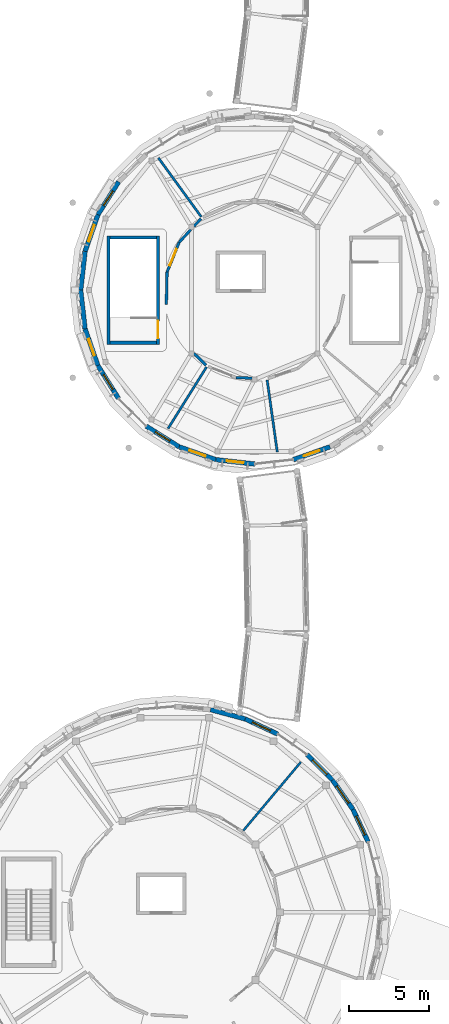
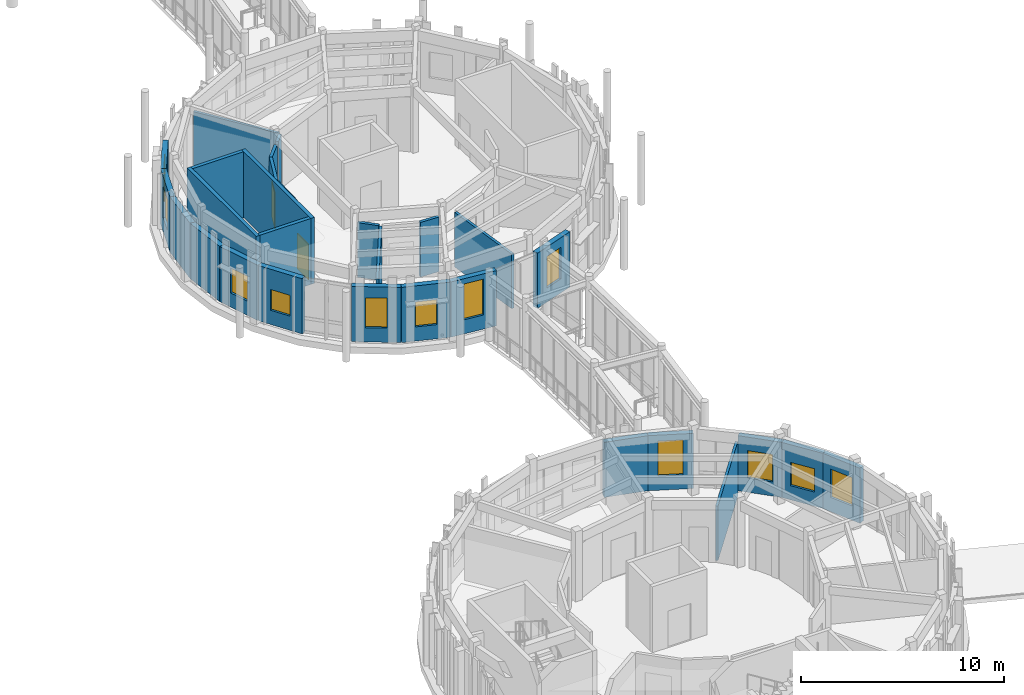
# One storey, part 45 of 80: 29 walls, 12 windows, 2 doors, 14 openings.
"""IFC4 building model written with IfcOpenShell, lengths in metres."""

import ifcopenshell
import ifcopenshell.guid

model = None  # the IFC model being written
_history = None  # IfcOwnerHistory: only IFC2X3 demands one
_inside = {}  # id of a spatial element -> (the spatial element, [elements in it])
_under = {}  # id of a project, library or spatial element -> (it, [spatial elements below it])
_declared = {}  # id of a project -> (the project, [libraries it declares])
_typed = {}  # id of a type object -> (the type object, [elements of that type])
_made_of = {}  # id of a material, layer set ... -> (it, [elements and type objects made of it])


def new_model(schema):
    """Start an empty IFC model of exactly this schema.

    Asked for "IFC4X3", IfcOpenShell would pick the latest addendum, in which some entities
    have other attributes; the version numbers below select the first issue.
    IFC2X3 requires an IfcOwnerHistory on every rooted entity: one is made here for all.
    """
    global model, _history
    if schema == "IFC4X3":
        model = ifcopenshell.file(schema_version=(4, 3, 0, 0))
    else:
        model = ifcopenshell.file(schema=schema)
    _inside.clear()
    _under.clear()
    _declared.clear()
    _typed.clear()
    _made_of.clear()
    _history = None
    if model.schema == "IFC2X3":
        org = make("IfcOrganization", Name="unknown")
        user = make(
            "IfcPersonAndOrganization",
            ThePerson=make("IfcPerson", FamilyName="unknown"),
            TheOrganization=org,
        )
        app = make(
            "IfcApplication",
            ApplicationDeveloper=org,
            Version="unknown",
            ApplicationFullName="unknown",
            ApplicationIdentifier="unknown",
        )
        _history = make(
            "IfcOwnerHistory",
            OwningUser=user,
            OwningApplication=app,
            ChangeAction="ADDED",
            CreationDate=0,
        )
    return model


def make(cls, **values):
    """One entity of the class cls with the attributes given. An attribute that is None is left unset."""
    return model.create_entity(
        cls, **{name: value for name, value in values.items() if value is not None}
    )


def rooted(cls, **values):
    """An entity with a GlobalId (a new one), such as an element, a storey or a relation."""
    return make(cls, GlobalId=ifcopenshell.guid.new(), OwnerHistory=_history, **values)


def si_unit(unit_type, name, prefix=None):
    """IfcSIUnit, for example si_unit("LENGTHUNIT", "METRE", prefix="MILLI")."""
    return make("IfcSIUnit", UnitType=unit_type, Prefix=prefix, Name=name)


def assignment(units):
    """IfcUnitAssignment: the units of a project."""
    return None if units is None else make("IfcUnitAssignment", Units=units)


def point(xyz):
    """IfcCartesianPoint."""
    return None if xyz is None else make("IfcCartesianPoint", Coordinates=xyz)


def direction(xyz):
    """IfcDirection."""
    return None if xyz is None else make("IfcDirection", DirectionRatios=xyz)


def frame(location, z_axis=None, x_axis=None):
    """IfcAxis2Placement3D, a coordinate frame: its origin and axes. An axis left out is left unset."""
    return make(
        "IfcAxis2Placement3D",
        Location=point(location),
        Axis=direction(z_axis),
        RefDirection=direction(x_axis),
    )


def frame_2d(location, x_axis=None):
    """IfcAxis2Placement2D, a coordinate frame in the plane: its origin and x axis."""
    return make(
        "IfcAxis2Placement2D", Location=point(location), RefDirection=direction(x_axis)
    )


def origin():
    """The frame at (0, 0, 0) with its axes left unset."""
    return frame((0.0, 0.0, 0.0))


def place(relative_to, where):
    """IfcLocalPlacement: puts the frame where relative to a parent placement (None: the world)."""
    return make(
        "IfcLocalPlacement", PlacementRelTo=relative_to, RelativePlacement=where
    )


def context(
    kind, dimensions, precision=None, world=None, true_north=None, identifier=None
):
    """IfcGeometricRepresentationContext, for example the 3D "Model" context."""
    return make(
        "IfcGeometricRepresentationContext",
        ContextIdentifier=identifier,
        ContextType=kind,
        CoordinateSpaceDimension=dimensions,
        Precision=precision,
        WorldCoordinateSystem=world,
        TrueNorth=true_north,
    )


def subcontext(parent, identifier, kind, view, scale=None):
    """IfcGeometricRepresentationSubContext, for example "Body" below "Model"."""
    return make(
        "IfcGeometricRepresentationSubContext",
        ContextIdentifier=identifier,
        ContextType=kind,
        ParentContext=parent,
        TargetScale=scale,
        TargetView=view,
    )


def project(units=None, contexts=None):
    """IfcProject with its units and contexts."""
    return rooted(
        "IfcProject",
        Name="project",
        RepresentationContexts=contexts,
        UnitsInContext=assignment(units),
    )


def spatial(cls, under=None, at=None, **own):
    """A site, building, storey or space (cls), placed at a placement, below another one or the project."""
    s = rooted(cls, ObjectPlacement=at, **own)
    if under is not None:
        _under.setdefault(under.id(), (under, []))[1].append(s)
    return s


def profile(cls, at=None, kind="AREA", **sizes):
    """A parametric profile (cls). Its sizes go by their IFC names, for example OverallWidth=200.0."""
    return make(cls, ProfileType=kind, Position=at, **sizes)


def rectangle(**sizes):
    """IfcRectangleProfileDef."""
    return profile("IfcRectangleProfileDef", **sizes)


def extrude(swept, where, along, depth):
    """IfcExtrudedAreaSolid: the profile swept, set in the frame where, extruded along a direction by depth."""
    return make(
        "IfcExtrudedAreaSolid",
        SweptArea=swept,
        Position=where,
        ExtrudedDirection=direction(along),
        Depth=depth,
    )


def shape(context_of_items, identifier, shape_type, items):
    """IfcShapeRepresentation: the items that make up one representation, for example the "Body"."""
    return make(
        "IfcShapeRepresentation",
        ContextOfItems=context_of_items,
        RepresentationIdentifier=identifier,
        RepresentationType=shape_type,
        Items=items,
    )


def material(Name=None, Category=None):
    """IfcMaterial."""
    return make("IfcMaterial", Name=Name, Category=Category)


def layer(
    of_material, thickness, ventilated=None, Name=None, Category=None, Priority=None
):
    """IfcMaterialLayer: one layer of a wall or slab, of a material (None: an air gap)."""
    return make(
        "IfcMaterialLayer",
        Material=of_material,
        LayerThickness=thickness,
        IsVentilated=ventilated,
        Name=Name,
        Category=Category,
        Priority=Priority,
    )


def layer_set(layers, Name=None):
    """IfcMaterialLayerSet."""
    return make("IfcMaterialLayerSet", MaterialLayers=layers, LayerSetName=Name)


def made_of(thing, what):
    """Note that an element or type object is made of a material, layer set ...; save() writes the relation."""
    if what is not None:
        _made_of.setdefault(what.id(), (what, []))[1].append(thing)
    return thing


def type_object(cls, material=None, **own):
    """A type object (cls), such as IfcWallType, which elements share."""
    return made_of(rooted(cls, **own), material)


def element(
    cls,
    number,
    at=None,
    inside=None,
    cuts=None,
    type_object=None,
    material=None,
    context=None,
    identifier="Body",
    shape_type=None,
    held_by="IfcProductDefinitionShape",
    body=None,
    shapes=None,
    **own,
):
    """One element of the class cls, such as IfcWall. Its Tag is "e" and its number.

    at: its placement. inside: the storey or other place that contains it. cuts: it is an
    opening in that element (IfcRelVoidsElement). A single representation is given by context,
    identifier, shape_type and body (its items); several are given by shapes. held_by: the class
    of the entity that holds the representations. save() writes the other relations.
    """
    e = rooted(cls, Tag="e%d" % number, ObjectPlacement=at, **own)
    if body is not None:
        shapes = [shape(context, identifier, shape_type, body)]
    if shapes is not None:
        e.Representation = make(held_by, Representations=shapes)
    if inside is not None:
        _inside.setdefault(inside.id(), (inside, []))[1].append(e)
    if cuts is not None:
        rooted(
            "IfcRelVoidsElement", RelatingBuildingElement=cuts, RelatedOpeningElement=e
        )
    if type_object is not None:
        _typed.setdefault(type_object.id(), (type_object, []))[1].append(e)
    return made_of(e, material)


def fill(opening, filler):
    """IfcRelFillsElement: the door or window that sits in an opening."""
    return rooted(
        "IfcRelFillsElement",
        RelatingOpeningElement=opening,
        RelatedBuildingElement=filler,
    )


def aggregate(whole, parts):
    """IfcRelAggregates: a whole, such as a stair, and the parts it consists of."""
    return rooted("IfcRelAggregates", RelatingObject=whole, RelatedObjects=parts)


def save(model, path):
    """Write the relations noted so far, then the file.

    IfcRelAggregates (storeys below a building ...), IfcRelContainedInSpatialStructure (elements
    in a storey), IfcRelDefinesByType, IfcRelAssociatesMaterial and IfcRelDeclares: one each for
    every whole, place, type object, material and project.
    """
    for whole, parts in _under.values():
        aggregate(whole, parts)
    for where, things in _inside.values():
        rooted(
            "IfcRelContainedInSpatialStructure",
            RelatedElements=things,
            RelatingStructure=where,
        )
    for kind, things in _typed.values():
        rooted("IfcRelDefinesByType", RelatedObjects=things, RelatingType=kind)
    for what, things in _made_of.values():
        rooted("IfcRelAssociatesMaterial", RelatedObjects=things, RelatingMaterial=what)
    for by, libraries in _declared.values():
        rooted("IfcRelDeclares", RelatingContext=by, RelatedDefinitions=libraries)
    model.write(path)


model = new_model("IFC4")

# Units and contexts
model_context = context("Model", 3, precision=1e-05, world=origin(), true_north=direction((0.0, 1.0)))
body_context = subcontext(model_context, "Body", "Model", "MODEL_VIEW")
ifc_project = project(units=[si_unit("LENGTHUNIT", "METRE"), si_unit("AREAUNIT", "SQUARE_METRE"), si_unit("VOLUMEUNIT", "CUBIC_METRE"), si_unit("PLANEANGLEUNIT", "RADIAN"), si_unit("MASSUNIT", "GRAM", prefix="KILO")], contexts=[model_context])

# Site, building, storey
site_placement = place(None, origin())
site = spatial("IfcSite", under=ifc_project, at=site_placement, CompositionType="ELEMENT")
building_placement = place(site_placement, origin())
building = spatial("IfcBuilding", under=site, at=building_placement, Name="Aldenvaro Health Centre", CompositionType="ELEMENT")
storey_placement = place(building_placement, frame((0.0, 0.0, 4.550048828125)))
storey = spatial("IfcBuildingStorey", under=building, at=storey_placement, Name="L01", CompositionType="ELEMENT", Elevation=4.550048828125)

# Walls
ifc_material_1 = material(Name="Gypsum Stud Acoustic Assembly")
ifc_layer_1 = layer(ifc_material_1, 0.14501953125, Name="Gypsum Stud Acoustic Assembly")
ifc_layer_set_1 = layer_set([ifc_layer_1], Name="Gypsum Stud Acoustic Assembly")
wall_type_1 = type_object("IfcWallType", Name="WL-CLN-145", PredefinedType="PARTITIONING", material=ifc_layer_set_1)
wall_1_placement = place(storey_placement, frame((20.159912109375, 62.097900390625, 0.0), z_axis=(0.0, 0.0, 1.0), x_axis=(-0.587873334136, 0.808952991843, 0.0)))
element("IfcWall", 1, at=wall_1_placement, inside=storey, type_object=wall_type_1, Name="D3 L01 clinical partition 2.1", PredefinedType="PARTITIONING", context=body_context, shape_type="SweptSolid", body=[
    extrude(rectangle(XDim=4.573974609375, YDim=0.14501953125, at=frame_2d((2.287109375, 0.0))), origin(), (0.0, 0.0, 1.0), 3.279052734375),
])
wall_2_placement = place(storey_placement, frame((20.488037109375, 52.680908203125, 0.0), z_axis=(0.0, 0.0, 1.0), x_axis=(-0.529892832375, -0.848064612042, 0.0)))
element("IfcWall", 2, at=wall_2_placement, inside=storey, type_object=wall_type_1, Name="D3 L01 clinical partition 4.1", PredefinedType="PARTITIONING", context=body_context, shape_type="SweptSolid", body=[
    extrude(rectangle(XDim=4.55029296875, YDim=0.14501953125, at=frame_2d((2.275146484375, 0.0))), origin(), (0.0, 0.0, 1.0), 3.279052734375),
])
wall_3_placement = place(storey_placement, frame((24.291015625, 51.8720703125, 0.0), z_axis=(0.0, 0.0, 1.0), x_axis=(0.139214585132, -0.990262237635, 0.0)))
element("IfcWall", 3, at=wall_3_placement, inside=storey, type_object=wall_type_1, Name="D3 L01 clinical partition 5.1", PredefinedType="PARTITIONING", context=body_context, shape_type="SweptSolid", body=[
    extrude(rectangle(XDim=4.554443359375, YDim=0.14501953125, at=frame_2d((2.27734375, 0.0))), origin(), (0.0, 0.0, 1.0), 3.279052734375),
])
ifc_layer_2 = layer(ifc_material_1, 0.1650390625, Name="Gypsum Stud Acoustic Assembly")
ifc_layer_set_2 = layer_set([ifc_layer_2], Name="Gypsum Stud Acoustic Assembly")
wall_type_2 = type_object("IfcWallType", Name="WL-COR-165", PredefinedType="PARTITIONING", material=ifc_layer_set_2)
wall_4_placement = place(storey_placement, frame((20.14208984375, 61.98095703125, 0.0), z_axis=(0.0, 0.0, 1.0), x_axis=(-0.679935917373, -0.73327153788, 0.0)))
element("IfcWall", 4, at=wall_4_placement, inside=storey, type_object=wall_type_2, Name="D3 L01 corridor wall 02.1", PredefinedType="PARTITIONING", context=body_context, shape_type="SweptSolid", body=[
    extrude(rectangle(XDim=0.654541015625, YDim=0.1650390625, at=frame_2d((0.3271484375, 0.0))), origin(), (0.0, 0.0, 1.0), 3.279052734375),
])
wall_5_placement = place(storey_placement, frame((19.511962890625, 61.300048828125, 0.0), z_axis=(0.0, 0.0, 1.0), x_axis=(-0.679051024612, -0.734091074713, 0.0)))
element("IfcWall", 5, at=wall_5_placement, inside=storey, type_object=wall_type_2, Name="D3 L01 corridor wall 02.2", PredefinedType="PARTITIONING", context=body_context, shape_type="SweptSolid", body=[
    extrude(rectangle(XDim=1.091064453125, YDim=0.1650390625, at=frame_2d((0.54541015625, 0.0))), origin(), (0.0, 0.0, 1.0), 3.279052734375),
])

# Wall, opening, door
wall_6_placement = place(storey_placement, frame((18.77099609375, 60.4990234375, 0.0), z_axis=(0.0, 0.0, 1.0), x_axis=(-0.374663065009, -0.927161036562, 0.0)))
wall_6 = element("IfcWall", 6, at=wall_6_placement, inside=storey, type_object=wall_type_2, Name="D3 L01 corridor wall 02.3", PredefinedType="PARTITIONING", context=body_context, shape_type="SweptSolid", body=[
    extrude(rectangle(XDim=2.01806640625, YDim=0.1650390625, at=frame_2d((1.009033203125, 0.0))), origin(), (0.0, 0.0, 1.0), 3.279052734375),
])
opening_1_placement = place(wall_6_placement, frame((0.448974609375, 0.0, 0.0)))
opening_1 = element("IfcOpeningElement", 7, at=opening_1_placement, cuts=wall_6, Name="Opening D-06", PredefinedType="OPENING", context=body_context, shape_type="SweptSolid", body=[
    extrude(rectangle(XDim=1.1201171875, YDim=2.159912109375, at=frame_2d((0.56005859375, 1.080078125))), frame((0.0, 0.092529296875, 0.0), z_axis=(0.0, -1.0, 0.0), x_axis=(1.0, 0.0, 0.0)), (0.0, 0.0, 1.0), 0.18505859375),
])
ifc_material_2 = material(Name="Bariatric Consulting Timber Door", Category="wood")
door_type_1 = type_object("IfcDoorType", Name="DR-CLN-06", OperationType="NOTDEFINED", PredefinedType="DOOR", material=ifc_material_2)
door_1_placement = place(opening_1_placement, origin())
door_1 = element("IfcDoor", 8, at=door_1_placement, inside=storey, type_object=door_type_1, Name="Cardiac and Pulmonary Rehab Studio Door", OperationType="SINGLE_SWING_LEFT", OverallHeight=2.159912109375, OverallWidth=1.1201171875, PredefinedType="DOOR", context=body_context, shape_type="SweptSolid", body=[
    extrude(rectangle(XDim=1.1201171875, YDim=2.159912109375, at=frame_2d((0.56005859375, 1.080078125))), frame((0.0, 0.02490234375, 0.0), z_axis=(0.0, -1.0, 0.0), x_axis=(1.0, 0.0, 0.0)), (0.0, 0.0, 1.0), 0.050048828125),
])
fill(opening_1, door_1)

# Walls
wall_7_placement = place(storey_placement, frame((18.014892578125, 58.6279296875, 0.0), z_axis=(0.0, 0.0, 1.0), x_axis=(-0.021760263499, -0.999763217433, 0.0)))
element("IfcWall", 9, at=wall_7_placement, inside=storey, type_object=wall_type_2, Name="D3 L01 corridor wall 02.4", PredefinedType="PARTITIONING", context=body_context, shape_type="SweptSolid", body=[
    extrude(rectangle(XDim=2.01953125, YDim=0.1650390625, at=frame_2d((1.009765625, 0.0))), origin(), (0.0, 0.0, 1.0), 3.279052734375),
])
wall_8_placement = place(storey_placement, frame((19.701904296875, 53.5400390625, 0.0), z_axis=(0.0, 0.0, 1.0), x_axis=(0.714068342312, -0.700075997666, 0.0)))
element("IfcWall", 10, at=wall_8_placement, inside=storey, type_object=wall_type_2, Name="D3 L01 corridor wall 03.1", PredefinedType="PARTITIONING", context=body_context, shape_type="SweptSolid", body=[
    extrude(rectangle(XDim=1.064453125, YDim=0.1650390625, at=frame_2d((0.5322265625, 0.0))), origin(), (0.0, 0.0, 1.0), 3.279052734375),
])
wall_9_placement = place(storey_placement, frame((22.3359375, 52.02197265625, 0.0), z_axis=(0.0, 0.0, 1.0), x_axis=(0.999117282865, -0.042007797846, 0.0)))
element("IfcWall", 11, at=wall_9_placement, inside=storey, type_object=wall_type_2, Name="D3 L01 corridor wall 04.2", PredefinedType="PARTITIONING", context=body_context, shape_type="SweptSolid", body=[
    extrude(rectangle(XDim=1.02294921875, YDim=0.1650390625, at=frame_2d((0.511474609375, 0.0))), origin(), (0.0, 0.0, 1.0), 3.279052734375),
])

# Wall, opening, window
ifc_material_3 = material(Name="Cross-laminated timber CLT E1", Category="wood")
ifc_layer_3 = layer(ifc_material_3, 0.2900390625, Name="Cross-laminated timber CLT E1", Category="wood")
ifc_layer_set_3 = layer_set([ifc_layer_3], Name="Cross-laminated timber CLT E1")
wall_type_3 = type_object("IfcWallType", Name="WL-EXT-290", PredefinedType="ELEMENTEDWALL", material=ifc_layer_set_3)
wall_10_placement = place(storey_placement, frame((28.22900390625, 47.678955078125, 0.0), z_axis=(0.0, 0.0, 1.0), x_axis=(-0.943919156274, -0.330176659411, 0.0)))
wall_10 = element("IfcWall", 12, at=wall_10_placement, inside=storey, type_object=wall_type_3, Name="D3 L01 exterior wall 06", PredefinedType="ELEMENTEDWALL", context=body_context, shape_type="SweptSolid", body=[
    extrude(rectangle(XDim=2.44091796875, YDim=0.2900390625, at=frame_2d((1.220458984375, 0.0))), origin(), (0.0, 0.0, 1.0), 3.31396484375),
])
opening_2_placement = place(wall_10_placement, frame((0.695068359375, 0.0, 0.85009765625)))
opening_2 = element("IfcOpeningElement", 13, at=opening_2_placement, cuts=wall_10, Name="Opening W-21", PredefinedType="OPENING", context=body_context, shape_type="SweptSolid", body=[
    extrude(rectangle(XDim=1.050048828125, YDim=1.89990234375, at=frame_2d((0.52490234375, 0.949951171875))), frame((0.0, 0.155029296875, 0.0), z_axis=(0.0, -1.0, 0.0), x_axis=(1.0, 0.0, 0.0)), (0.0, 0.0, 1.0), 0.31005859375),
])
ifc_material_4 = material(Name="Thermally Broken Aluminium Low-E Glass", Category="aluminium")
window_type_1 = type_object("IfcWindowType", Name="WN-EXT-21", PartitioningType="SINGLE_PANEL", PredefinedType="WINDOW", material=ifc_material_4)
window_1_placement = place(opening_2_placement, origin())
window_1 = element("IfcWindow", 14, at=window_1_placement, inside=storey, type_object=window_type_1, Name="D3 L01 clinical window 06", OverallHeight=1.89990234375, OverallWidth=1.050048828125, PartitioningType="SINGLE_PANEL", PredefinedType="WINDOW", context=body_context, shape_type="SweptSolid", body=[
    extrude(rectangle(XDim=1.050048828125, YDim=1.89990234375, at=frame_2d((0.52490234375, 0.949951171875))), frame((0.0, 0.030029296875, 0.0), z_axis=(0.0, -1.0, 0.0), x_axis=(1.0, 0.0, 0.0)), (0.0, 0.0, 1.0), 0.06005859375),
])
fill(opening_2, window_1)

wall_11_placement = place(storey_placement, frame((23.5, 46.60009765625, 0.0), z_axis=(0.0, 0.0, 1.0), x_axis=(-0.993725340882, 0.111847873866, 0.0)))
wall_11 = element("IfcWall", 15, at=wall_11_placement, inside=storey, type_object=wall_type_3, Name="D3 L01 exterior wall 08", PredefinedType="ELEMENTEDWALL", context=body_context, shape_type="SweptSolid", body=[
    extrude(rectangle(XDim=2.4404296875, YDim=0.2900390625, at=frame_2d((1.22021484375, 0.0))), origin(), (0.0, 0.0, 1.0), 3.31396484375),
])
opening_3_placement = place(wall_11_placement, frame((0.695068359375, 0.0, 0.85009765625)))
opening_3 = element("IfcOpeningElement", 16, at=opening_3_placement, cuts=wall_11, Name="Opening W-22", PredefinedType="OPENING", context=body_context, shape_type="SweptSolid", body=[
    extrude(rectangle(XDim=1.050048828125, YDim=2.14990234375, at=frame_2d((0.52490234375, 1.074951171875))), frame((0.0, 0.155029296875, 0.0), z_axis=(0.0, -1.0, 0.0), x_axis=(1.0, 0.0, 0.0)), (0.0, 0.0, 1.0), 0.31005859375),
])
window_type_2 = type_object("IfcWindowType", Name="WN-EXT-22", PartitioningType="SINGLE_PANEL", PredefinedType="WINDOW", material=ifc_material_4)
window_2_placement = place(opening_3_placement, origin())
window_2 = element("IfcWindow", 17, at=window_2_placement, inside=storey, type_object=window_type_2, Name="D3 L01 clinical window 08", OverallHeight=2.14990234375, OverallWidth=1.050048828125, PartitioningType="SINGLE_PANEL", PredefinedType="WINDOW", context=body_context, shape_type="SweptSolid", body=[
    extrude(rectangle(XDim=1.050048828125, YDim=2.14990234375, at=frame_2d((0.52490234375, 1.074951171875))), frame((0.0, 0.030029296875, 0.0), z_axis=(0.0, -1.0, 0.0), x_axis=(1.0, 0.0, 0.0)), (0.0, 0.0, 1.0), 0.06005859375),
])
fill(opening_3, window_2)

wall_12_placement = place(storey_placement, frame((21.074951171875, 46.873046875, 0.0), z_axis=(0.0, 0.0, 1.0), x_axis=(-0.943919156274, 0.330176659411, 0.0)))
wall_12 = element("IfcWall", 18, at=wall_12_placement, inside=storey, type_object=wall_type_3, Name="D3 L01 exterior wall 09", PredefinedType="ELEMENTEDWALL", context=body_context, shape_type="SweptSolid", body=[
    extrude(rectangle(XDim=2.44091796875, YDim=0.2900390625, at=frame_2d((1.220458984375, 0.0))), origin(), (0.0, 0.0, 1.0), 3.31396484375),
])
opening_4_placement = place(wall_12_placement, frame((0.679931640625, 0.0, 0.85009765625)))
opening_4 = element("IfcOpeningElement", 19, at=opening_4_placement, cuts=wall_12, Name="Opening W-23", PredefinedType="OPENING", context=body_context, shape_type="SweptSolid", body=[
    extrude(rectangle(XDim=1.080078125, YDim=1.5, at=frame_2d((0.5400390625, 0.75))), frame((0.0, 0.155029296875, 0.0), z_axis=(0.0, -1.0, 0.0), x_axis=(1.0, 0.0, 0.0)), (0.0, 0.0, 1.0), 0.31005859375),
])
window_type_3 = type_object("IfcWindowType", Name="WN-EXT-23", PartitioningType="SINGLE_PANEL", PredefinedType="WINDOW", material=ifc_material_4)
window_3_placement = place(opening_4_placement, origin())
window_3 = element("IfcWindow", 20, at=window_3_placement, inside=storey, type_object=window_type_3, Name="D3 L01 clinical window 09", OverallHeight=1.5, OverallWidth=1.080078125, PartitioningType="SINGLE_PANEL", PredefinedType="WINDOW", context=body_context, shape_type="SweptSolid", body=[
    extrude(rectangle(XDim=1.080078125, YDim=1.5, at=frame_2d((0.5400390625, 0.75))), frame((0.0, 0.030029296875, 0.0), z_axis=(0.0, -1.0, 0.0), x_axis=(1.0, 0.0, 0.0)), (0.0, 0.0, 1.0), 0.06005859375),
])
fill(opening_4, window_3)

wall_13_placement = place(storey_placement, frame((18.77099609375, 47.678955078125, 0.0), z_axis=(0.0, 0.0, 1.0), x_axis=(-0.846658434148, 0.532136726684, 0.0)))
wall_13 = element("IfcWall", 21, at=wall_13_placement, inside=storey, type_object=wall_type_3, Name="D3 L01 exterior wall 10", PredefinedType="ELEMENTEDWALL", context=body_context, shape_type="SweptSolid", body=[
    extrude(rectangle(XDim=2.441162109375, YDim=0.2900390625, at=frame_2d((1.220703125, 0.0))), origin(), (0.0, 0.0, 1.0), 3.31396484375),
])
opening_5_placement = place(wall_13_placement, frame((0.680908203125, 0.0, 0.85009765625)))
opening_5 = element("IfcOpeningElement", 22, at=opening_5_placement, cuts=wall_13, Name="Opening W-24", PredefinedType="OPENING", context=body_context, shape_type="SweptSolid", body=[
    extrude(rectangle(XDim=1.080078125, YDim=1.800048828125, at=frame_2d((0.5400390625, 0.89990234375))), frame((0.0, 0.155029296875, 0.0), z_axis=(0.0, -1.0, 0.0), x_axis=(1.0, 0.0, 0.0)), (0.0, 0.0, 1.0), 0.31005859375),
])
window_type_4 = type_object("IfcWindowType", Name="WN-EXT-24", PartitioningType="SINGLE_PANEL", PredefinedType="WINDOW", material=ifc_material_4)
window_4_placement = place(opening_5_placement, origin())
window_4 = element("IfcWindow", 23, at=window_4_placement, inside=storey, type_object=window_type_4, Name="D3 L01 clinical window 10", OverallHeight=1.800048828125, OverallWidth=1.080078125, PartitioningType="SINGLE_PANEL", PredefinedType="WINDOW", context=body_context, shape_type="SweptSolid", body=[
    extrude(rectangle(XDim=1.080078125, YDim=1.800048828125, at=frame_2d((0.5400390625, 0.89990234375))), frame((0.0, 0.030029296875, 0.0), z_axis=(0.0, -1.0, 0.0), x_axis=(1.0, 0.0, 0.0)), (0.0, 0.0, 1.0), 0.06005859375),
])
fill(opening_5, window_4)

wall_14_placement = place(storey_placement, frame((14.97802734375, 50.7041015625, 0.0), z_axis=(0.0, 0.0, 1.0), x_axis=(-0.532136726684, 0.846658434148, 0.0)))
wall_14 = element("IfcWall", 24, at=wall_14_placement, inside=storey, type_object=wall_type_3, Name="D3 L01 exterior wall 12", PredefinedType="ELEMENTEDWALL", context=body_context, shape_type="SweptSolid", body=[
    extrude(rectangle(XDim=2.441162109375, YDim=0.2900390625, at=frame_2d((1.220703125, 0.0))), origin(), (0.0, 0.0, 1.0), 3.31396484375),
])
opening_6_placement = place(wall_14_placement, frame((0.6708984375, 0.0, 0.85009765625)))
opening_6 = element("IfcOpeningElement", 25, at=opening_6_placement, cuts=wall_14, Name="Opening W-25", PredefinedType="OPENING", context=body_context, shape_type="SweptSolid", body=[
    extrude(rectangle(XDim=1.10009765625, YDim=1.25, at=frame_2d((0.550048828125, 0.625))), frame((0.0, 0.155029296875, 0.0), z_axis=(0.0, -1.0, 0.0), x_axis=(1.0, 0.0, 0.0)), (0.0, 0.0, 1.0), 0.31005859375),
])
window_type_5 = type_object("IfcWindowType", Name="WN-EXT-25", PartitioningType="SINGLE_PANEL", PredefinedType="WINDOW", material=ifc_material_4)
window_5_placement = place(opening_6_placement, origin())
window_5 = element("IfcWindow", 26, at=window_5_placement, inside=storey, type_object=window_type_5, Name="D3 L01 clinical window 12", OverallHeight=1.25, OverallWidth=1.10009765625, PartitioningType="SINGLE_PANEL", PredefinedType="WINDOW", context=body_context, shape_type="SweptSolid", body=[
    extrude(rectangle(XDim=1.10009765625, YDim=1.25, at=frame_2d((0.550048828125, 0.625))), frame((0.0, 0.030029296875, 0.0), z_axis=(0.0, -1.0, 0.0), x_axis=(1.0, 0.0, 0.0)), (0.0, 0.0, 1.0), 0.06005859375),
])
fill(opening_6, window_5)

wall_15_placement = place(storey_placement, frame((13.678955078125, 52.77099609375, 0.0), z_axis=(0.0, 0.0, 1.0), x_axis=(-0.330176659411, 0.943919156274, 0.0)))
wall_15 = element("IfcWall", 27, at=wall_15_placement, inside=storey, type_object=wall_type_3, Name="D3 L01 exterior wall 13", PredefinedType="ELEMENTEDWALL", context=body_context, shape_type="SweptSolid", body=[
    extrude(rectangle(XDim=2.44091796875, YDim=0.2900390625, at=frame_2d((1.220458984375, 0.0))), origin(), (0.0, 0.0, 1.0), 3.31396484375),
])
opening_7_placement = place(wall_15_placement, frame((0.669921875, 0.0, 0.85009765625)))
opening_7 = element("IfcOpeningElement", 28, at=opening_7_placement, cuts=wall_15, Name="Opening W-26", PredefinedType="OPENING", context=body_context, shape_type="SweptSolid", body=[
    extrude(rectangle(XDim=1.10009765625, YDim=1.5, at=frame_2d((0.550048828125, 0.75))), frame((0.0, 0.155029296875, 0.0), z_axis=(0.0, -1.0, 0.0), x_axis=(1.0, 0.0, 0.0)), (0.0, 0.0, 1.0), 0.31005859375),
])
window_type_6 = type_object("IfcWindowType", Name="WN-EXT-26", PartitioningType="SINGLE_PANEL", PredefinedType="WINDOW", material=ifc_material_4)
window_6_placement = place(opening_7_placement, origin())
window_6 = element("IfcWindow", 29, at=window_6_placement, inside=storey, type_object=window_type_6, Name="D3 L01 clinical window 13", OverallHeight=1.5, OverallWidth=1.10009765625, PartitioningType="SINGLE_PANEL", PredefinedType="WINDOW", context=body_context, shape_type="SweptSolid", body=[
    extrude(rectangle(XDim=1.10009765625, YDim=1.5, at=frame_2d((0.550048828125, 0.75))), frame((0.0, 0.030029296875, 0.0), z_axis=(0.0, -1.0, 0.0), x_axis=(1.0, 0.0, 0.0)), (0.0, 0.0, 1.0), 0.06005859375),
])
fill(opening_7, window_6)

# Walls
for number, where, z_axis, x_axis, name in (
    (30, (12.873046875, 55.074951171875, 0.0), (0.0, 0.0, 1.0), (-0.111847873866, 0.993725340882, 0.0), "D3 L01 exterior wall 14"),
    (31, (12.60009765625, 57.5, 0.0), (0.0, 0.0, 1.0), (0.111847873866, 0.993725340882, 0.0), "D3 L01 exterior wall 15"),
):
    element("IfcWall", number, at=place(storey_placement, frame(where, z_axis=z_axis, x_axis=x_axis)), inside=storey, type_object=wall_type_3, Name=name, PredefinedType="ELEMENTEDWALL", context=body_context, shape_type="SweptSolid", body=[
        extrude(rectangle(XDim=2.4404296875, YDim=0.2900390625, at=frame_2d((1.22021484375, 0.0))), origin(), (0.0, 0.0, 1.0), 3.31396484375),
    ])

# Wall, opening, window
wall_16_placement = place(storey_placement, frame((12.873046875, 59.925048828125, 0.0), z_axis=(0.0, 0.0, 1.0), x_axis=(0.330176659411, 0.943919156274, 0.0)))
wall_16 = element("IfcWall", 32, at=wall_16_placement, inside=storey, type_object=wall_type_3, Name="D3 L01 exterior wall 16", PredefinedType="ELEMENTEDWALL", context=body_context, shape_type="SweptSolid", body=[
    extrude(rectangle(XDim=2.44091796875, YDim=0.2900390625, at=frame_2d((1.220458984375, 0.0))), origin(), (0.0, 0.0, 1.0), 3.31396484375),
])
opening_8_placement = place(wall_16_placement, frame((0.669921875, 0.0, 0.85009765625)))
opening_8 = element("IfcOpeningElement", 33, at=opening_8_placement, cuts=wall_16, Name="Opening W-27", PredefinedType="OPENING", context=body_context, shape_type="SweptSolid", body=[
    extrude(rectangle(XDim=1.10009765625, YDim=1.85009765625, at=frame_2d((0.550048828125, 0.925048828125))), frame((0.0, 0.155029296875, 0.0), z_axis=(0.0, -1.0, 0.0), x_axis=(1.0, 0.0, 0.0)), (0.0, 0.0, 1.0), 0.31005859375),
])
window_type_7 = type_object("IfcWindowType", Name="WN-EXT-27", PartitioningType="SINGLE_PANEL", PredefinedType="WINDOW", material=ifc_material_4)
window_7_placement = place(opening_8_placement, origin())
window_7 = element("IfcWindow", 34, at=window_7_placement, inside=storey, type_object=window_type_7, Name="D3 L01 clinical window 16", OverallHeight=1.85009765625, OverallWidth=1.10009765625, PartitioningType="SINGLE_PANEL", PredefinedType="WINDOW", context=body_context, shape_type="SweptSolid", body=[
    extrude(rectangle(XDim=1.10009765625, YDim=1.85009765625, at=frame_2d((0.550048828125, 0.925048828125))), frame((0.0, 0.030029296875, 0.0), z_axis=(0.0, -1.0, 0.0), x_axis=(1.0, 0.0, 0.0)), (0.0, 0.0, 1.0), 0.06005859375),
])
fill(opening_8, window_7)

wall_17_placement = place(storey_placement, frame((13.678955078125, 62.22900390625, 0.0), z_axis=(0.0, 0.0, 1.0), x_axis=(0.532136726684, 0.846658434148, 0.0)))
wall_17 = element("IfcWall", 35, at=wall_17_placement, inside=storey, type_object=wall_type_3, Name="D3 L01 exterior wall 17", PredefinedType="ELEMENTEDWALL", context=body_context, shape_type="SweptSolid", body=[
    extrude(rectangle(XDim=2.441162109375, YDim=0.2900390625, at=frame_2d((1.220703125, 0.0))), origin(), (0.0, 0.0, 1.0), 3.31396484375),
])
opening_9_placement = place(wall_17_placement, frame((0.6708984375, 0.0, 0.85009765625)))
opening_9 = element("IfcOpeningElement", 36, at=opening_9_placement, cuts=wall_17, Name="Opening W-28", PredefinedType="OPENING", context=body_context, shape_type="SweptSolid", body=[
    extrude(rectangle(XDim=1.10009765625, YDim=2.10009765625, at=frame_2d((0.550048828125, 1.050048828125))), frame((0.0, 0.155029296875, 0.0), z_axis=(0.0, -1.0, 0.0), x_axis=(1.0, 0.0, 0.0)), (0.0, 0.0, 1.0), 0.31005859375),
])
window_type_8 = type_object("IfcWindowType", Name="WN-EXT-28", PartitioningType="SINGLE_PANEL", PredefinedType="WINDOW", material=ifc_material_4)
window_8_placement = place(opening_9_placement, origin())
window_8 = element("IfcWindow", 37, at=window_8_placement, inside=storey, type_object=window_type_8, Name="D3 L01 clinical window 17", OverallHeight=2.10009765625, OverallWidth=1.10009765625, PartitioningType="SINGLE_PANEL", PredefinedType="WINDOW", context=body_context, shape_type="SweptSolid", body=[
    extrude(rectangle(XDim=1.10009765625, YDim=2.10009765625, at=frame_2d((0.550048828125, 1.050048828125))), frame((0.0, 0.030029296875, 0.0), z_axis=(0.0, -1.0, 0.0), x_axis=(1.0, 0.0, 0.0)), (0.0, 0.0, 1.0), 0.06005859375),
])
fill(opening_9, window_8)

# Wall
wall_18_placement = place(storey_placement, frame((20.739990234375, 31.2041015625, 0.0), z_axis=(0.0, 0.0, 1.0), x_axis=(0.96592430538, -0.258824721145, 0.0)))
element("IfcWall", 38, at=wall_18_placement, inside=storey, type_object=wall_type_3, Name="D5 L01 exterior wall 29", PredefinedType="ELEMENTEDWALL", context=body_context, shape_type="SweptSolid", body=[
    extrude(rectangle(XDim=2.248779296875, YDim=0.2900390625, at=frame_2d((1.12451171875, 0.0))), origin(), (0.0, 0.0, 1.0), 3.308837890625),
])

# Wall, opening, window
wall_19_placement = place(storey_placement, frame((22.912109375, 30.6220703125, 0.0), z_axis=(0.0, 0.0, 1.0), x_axis=(0.906360600886, -0.422504983593, 0.0)))
wall_19 = element("IfcWall", 39, at=wall_19_placement, inside=storey, type_object=wall_type_3, Name="D5 L01 exterior wall 30", PredefinedType="ELEMENTEDWALL", context=body_context, shape_type="SweptSolid", body=[
    extrude(rectangle(XDim=2.248291015625, YDim=0.2900390625, at=frame_2d((1.1240234375, 0.0))), origin(), (0.0, 0.0, 1.0), 3.308837890625),
])
opening_10_placement = place(wall_19_placement, frame((0.4990234375, 0.0, 0.85009765625)))
opening_10 = element("IfcOpeningElement", 40, at=opening_10_placement, cuts=wall_19, Name="Opening W-44", PredefinedType="OPENING", context=body_context, shape_type="SweptSolid", body=[
    extrude(rectangle(XDim=1.25, YDim=2.10009765625, at=frame_2d((0.625, 1.050048828125))), frame((0.0, 0.155029296875, 0.0), z_axis=(0.0, -1.0, 0.0), x_axis=(1.0, 0.0, 0.0)), (0.0, 0.0, 1.0), 0.31005859375),
])
window_type_9 = type_object("IfcWindowType", Name="WN-EXT-44", PartitioningType="SINGLE_PANEL", PredefinedType="WINDOW", material=ifc_material_4)
window_9_placement = place(opening_10_placement, origin())
window_9 = element("IfcWindow", 41, at=window_9_placement, inside=storey, type_object=window_type_9, Name="D5 L01 clinical window 30", OverallHeight=2.10009765625, OverallWidth=1.25, PartitioningType="SINGLE_PANEL", PredefinedType="WINDOW", context=body_context, shape_type="SweptSolid", body=[
    extrude(rectangle(XDim=1.25, YDim=2.10009765625, at=frame_2d((0.625, 1.050048828125))), frame((0.0, 0.030029296875, 0.0), z_axis=(0.0, -1.0, 0.0), x_axis=(1.0, 0.0, 0.0)), (0.0, 0.0, 1.0), 0.06005859375),
])
fill(opening_10, window_9)

wall_20_placement = place(storey_placement, frame((26.7919921875, 28.382080078125, 0.0), z_axis=(0.0, 0.0, 1.0), x_axis=(0.707106781187, -0.707106781187, 0.0)))
wall_20 = element("IfcWall", 42, at=wall_20_placement, inside=storey, type_object=wall_type_3, Name="D5 L01 exterior wall 32", PredefinedType="ELEMENTEDWALL", context=body_context, shape_type="SweptSolid", body=[
    extrude(rectangle(XDim=2.248779296875, YDim=0.2900390625, at=frame_2d((1.12451171875, 0.0))), origin(), (0.0, 0.0, 1.0), 3.308837890625),
])
opening_11_placement = place(wall_20_placement, frame((0.48388671875, 0.0, 0.85009765625)))
opening_11 = element("IfcOpeningElement", 43, at=opening_11_placement, cuts=wall_20, Name="Opening W-45", PredefinedType="OPENING", context=body_context, shape_type="SweptSolid", body=[
    extrude(rectangle(XDim=1.280029296875, YDim=1.64990234375, at=frame_2d((0.64013671875, 0.824951171875))), frame((0.0, 0.155029296875, 0.0), z_axis=(0.0, -1.0, 0.0), x_axis=(1.0, 0.0, 0.0)), (0.0, 0.0, 1.0), 0.31005859375),
])
window_type_10 = type_object("IfcWindowType", Name="WN-EXT-45", PartitioningType="SINGLE_PANEL", PredefinedType="WINDOW", material=ifc_material_4)
window_10_placement = place(opening_11_placement, origin())
window_10 = element("IfcWindow", 44, at=window_10_placement, inside=storey, type_object=window_type_10, Name="D5 L01 clinical window 32", OverallHeight=1.64990234375, OverallWidth=1.280029296875, PartitioningType="SINGLE_PANEL", PredefinedType="WINDOW", context=body_context, shape_type="SweptSolid", body=[
    extrude(rectangle(XDim=1.280029296875, YDim=1.64990234375, at=frame_2d((0.64013671875, 0.824951171875))), frame((0.0, 0.030029296875, 0.0), z_axis=(0.0, -1.0, 0.0), x_axis=(1.0, 0.0, 0.0)), (0.0, 0.0, 1.0), 0.06005859375),
])
fill(opening_11, window_10)

wall_21_placement = place(storey_placement, frame((28.382080078125, 26.7919921875, 0.0), z_axis=(0.0, 0.0, 1.0), x_axis=(0.573644482107, -0.819104393925, 0.0)))
wall_21 = element("IfcWall", 45, at=wall_21_placement, inside=storey, type_object=wall_type_3, Name="D5 L01 exterior wall 33", PredefinedType="ELEMENTEDWALL", context=body_context, shape_type="SweptSolid", body=[
    extrude(rectangle(XDim=2.248779296875, YDim=0.2900390625, at=frame_2d((1.12451171875, 0.0))), origin(), (0.0, 0.0, 1.0), 3.308837890625),
])
opening_12_placement = place(wall_21_placement, frame((0.47412109375, 0.0, 0.85009765625)))
opening_12 = element("IfcOpeningElement", 46, at=opening_12_placement, cuts=wall_21, Name="Opening W-46", PredefinedType="OPENING", context=body_context, shape_type="SweptSolid", body=[
    extrude(rectangle(XDim=1.300048828125, YDim=1.39990234375, at=frame_2d((0.64990234375, 0.699951171875))), frame((0.0, 0.155029296875, 0.0), z_axis=(0.0, -1.0, 0.0), x_axis=(1.0, 0.0, 0.0)), (0.0, 0.0, 1.0), 0.31005859375),
])
window_type_11 = type_object("IfcWindowType", Name="WN-EXT-46", PartitioningType="SINGLE_PANEL", PredefinedType="WINDOW", material=ifc_material_4)
window_11_placement = place(opening_12_placement, origin())
window_11 = element("IfcWindow", 47, at=window_11_placement, inside=storey, type_object=window_type_11, Name="D5 L01 clinical window 33", OverallHeight=1.39990234375, OverallWidth=1.300048828125, PartitioningType="SINGLE_PANEL", PredefinedType="WINDOW", context=body_context, shape_type="SweptSolid", body=[
    extrude(rectangle(XDim=1.300048828125, YDim=1.39990234375, at=frame_2d((0.64990234375, 0.699951171875))), frame((0.0, 0.030029296875, 0.0), z_axis=(0.0, -1.0, 0.0), x_axis=(1.0, 0.0, 0.0)), (0.0, 0.0, 1.0), 0.06005859375),
])
fill(opening_12, window_11)

wall_22_placement = place(storey_placement, frame((29.672119140625, 24.949951171875, 0.0), z_axis=(0.0, 0.0, 1.0), x_axis=(0.422504983593, -0.906360600886, 0.0)))
wall_22 = element("IfcWall", 48, at=wall_22_placement, inside=storey, type_object=wall_type_3, Name="D5 L01 exterior wall 34", PredefinedType="ELEMENTEDWALL", context=body_context, shape_type="SweptSolid", body=[
    extrude(rectangle(XDim=2.248291015625, YDim=0.2900390625, at=frame_2d((1.1240234375, 0.0))), origin(), (0.0, 0.0, 1.0), 3.308837890625),
])
opening_13_placement = place(wall_22_placement, frame((0.47412109375, 0.0, 0.85009765625)))
opening_13 = element("IfcOpeningElement", 49, at=opening_13_placement, cuts=wall_22, Name="Opening W-47", PredefinedType="OPENING", context=body_context, shape_type="SweptSolid", body=[
    extrude(rectangle(XDim=1.300048828125, YDim=1.699951171875, at=frame_2d((0.64990234375, 0.85009765625))), frame((0.0, 0.155029296875, 0.0), z_axis=(0.0, -1.0, 0.0), x_axis=(1.0, 0.0, 0.0)), (0.0, 0.0, 1.0), 0.31005859375),
])
window_type_12 = type_object("IfcWindowType", Name="WN-EXT-47", PartitioningType="SINGLE_PANEL", PredefinedType="WINDOW", material=ifc_material_4)
window_12_placement = place(opening_13_placement, origin())
window_12 = element("IfcWindow", 50, at=window_12_placement, inside=storey, type_object=window_type_12, Name="D5 L01 clinical window 34", OverallHeight=1.699951171875, OverallWidth=1.300048828125, PartitioningType="SINGLE_PANEL", PredefinedType="WINDOW", context=body_context, shape_type="SweptSolid", body=[
    extrude(rectangle(XDim=1.300048828125, YDim=1.699951171875, at=frame_2d((0.64990234375, 0.85009765625))), frame((0.0, 0.030029296875, 0.0), z_axis=(0.0, -1.0, 0.0), x_axis=(1.0, 0.0, 0.0)), (0.0, 0.0, 1.0), 0.06005859375),
])
fill(opening_13, window_12)

# Wall, opening, door
ifc_material_5 = material(Name="Concrete f'c 40 MPa", Category="concrete")
ifc_layer_4 = layer(ifc_material_5, 0.199951171875, Name="Concrete f'c 40 MPa", Category="concrete")
ifc_layer_set_4 = layer_set([ifc_layer_4], Name="Concrete f'c 40 MPa")
wall_type_4 = type_object("IfcWallType", Name="WL-SHAFT-200", PredefinedType="SHEAR", material=ifc_layer_set_4)
wall_23_placement = place(storey_placement, frame((17.449951171875, 54.10009765625, 0.0), z_axis=(0.0, 0.0, 1.0), x_axis=(0.0, 1.0, 0.0)))
wall_23 = element("IfcWall", 51, at=wall_23_placement, inside=storey, type_object=wall_type_4, Name="ST-06 L01 inner core wall", PredefinedType="SHEAR", context=body_context, shape_type="SweptSolid", body=[
    extrude(rectangle(XDim=6.7998046875, YDim=0.199951171875, at=frame_2d((3.39990234375, 0.0))), origin(), (0.0, 0.0, 1.0), 3.9599609375),
])
opening_14_placement = place(wall_23_placement, frame((0.3798828125, 0.0, 0.0)))
opening_14 = element("IfcOpeningElement", 52, at=opening_14_placement, cuts=wall_23, Name="Opening FD-01", PredefinedType="OPENING", context=body_context, shape_type="SweptSolid", body=[
    extrude(rectangle(XDim=1.10009765625, YDim=2.14990234375, at=frame_2d((0.550048828125, 1.074951171875))), frame((0.0, 0.10986328125, 0.0), z_axis=(0.0, -1.0, 0.0), x_axis=(1.0, 0.0, 0.0)), (0.0, 0.0, 1.0), 0.219970703125),
])
ifc_material_6 = material(Name="Fire-Rated Steel Door Assembly", Category="steel")
door_type_2 = type_object("IfcDoorType", Name="DR-STAIR-110", OperationType="NOTDEFINED", PredefinedType="DOOR", material=ifc_material_6)
door_2_placement = place(opening_14_placement, origin())
door_2 = element("IfcDoor", 53, at=door_2_placement, inside=storey, type_object=door_type_2, Name="ST-06 L01 fire stair door", OperationType="SINGLE_SWING_RIGHT", OverallHeight=2.14990234375, OverallWidth=1.10009765625, PredefinedType="DOOR", context=body_context, shape_type="SweptSolid", body=[
    extrude(rectangle(XDim=1.10009765625, YDim=2.14990234375, at=frame_2d((0.550048828125, 1.074951171875))), frame((0.0, 0.02490234375, 0.0), z_axis=(0.0, -1.0, 0.0), x_axis=(1.0, 0.0, 0.0)), (0.0, 0.0, 1.0), 0.050048828125),
])
fill(opening_14, door_2)

# Walls
wall_24_placement = place(storey_placement, frame((14.35009765625, 54.10009765625, 0.0), z_axis=(0.0, 0.0, 1.0), x_axis=(0.0, 1.0, 0.0)))
element("IfcWall", 54, at=wall_24_placement, inside=storey, type_object=wall_type_4, Name="ST-06 L01 core wall OUT", PredefinedType="SHEAR", context=body_context, shape_type="SweptSolid", body=[
    extrude(rectangle(XDim=6.7998046875, YDim=0.199951171875, at=frame_2d((3.39990234375, 0.0))), origin(), (0.0, 0.0, 1.0), 3.9599609375),
])
for number, where, z_axis, x_axis, name in (
    (55, (17.35009765625, 54.199951171875, 0.0), (0.0, 0.0, 1.0), (-1.0, 0.0, 0.0), "ST-06 L01 core wall L"),
    (56, (17.35009765625, 60.800048828125, 0.0), (0.0, 0.0, 1.0), (-1.0, 0.0, 0.0), "ST-06 L01 core wall R"),
):
    element("IfcWall", number, at=place(storey_placement, frame(where, z_axis=z_axis, x_axis=x_axis)), inside=storey, type_object=wall_type_4, Name=name, PredefinedType="SHEAR", context=body_context, shape_type="SweptSolid", body=[
        extrude(rectangle(XDim=2.900146484375, YDim=0.199951171875, at=frame_2d((1.4501953125, 0.0))), origin(), (0.0, 0.0, 1.0), 3.9599609375),
    ])
ifc_material_7 = material(Name="Moisture-Resistant Plumbing Stud Wall")
ifc_layer_5 = layer(ifc_material_7, 0.135009765625, Name="Moisture-Resistant Plumbing Stud Wall")
ifc_layer_set_5 = layer_set([ifc_layer_5], Name="Moisture-Resistant Plumbing Stud Wall")
wall_type_5 = type_object("IfcWallType", Name="WL-WET-135", PredefinedType="PLUMBINGWALL", material=ifc_layer_set_5)
wall_25_placement = place(storey_placement, frame((22.7958984375, 23.618896484375, 0.0), z_axis=(0.0, 0.0, 1.0), x_axis=(0.642818869514, 0.766018211923, 0.0)))
element("IfcWall", 57, at=wall_25_placement, inside=storey, type_object=wall_type_5, Name="D5 L01 clinical partition 9.1", PredefinedType="PLUMBINGWALL", context=body_context, shape_type="SweptSolid", body=[
    extrude(rectangle(XDim=5.615966796875, YDim=0.135009765625, at=frame_2d((2.80810546875, 0.0))), origin(), (0.0, 0.0, 1.0), 3.283935546875),
])

save(model, "model.ifc")
